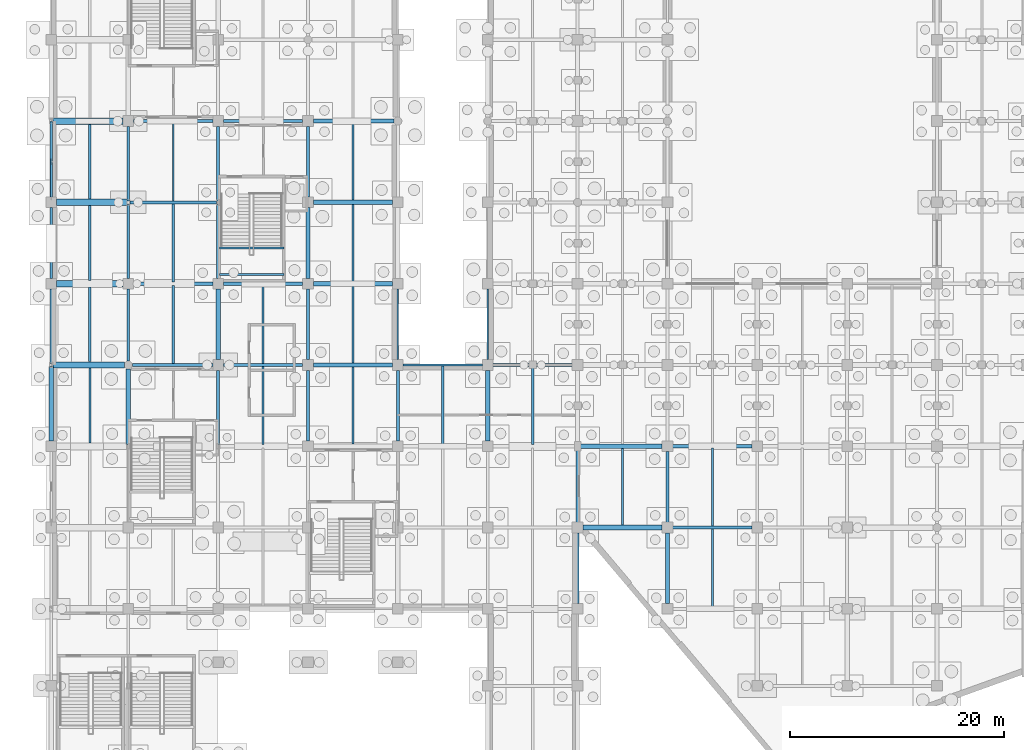
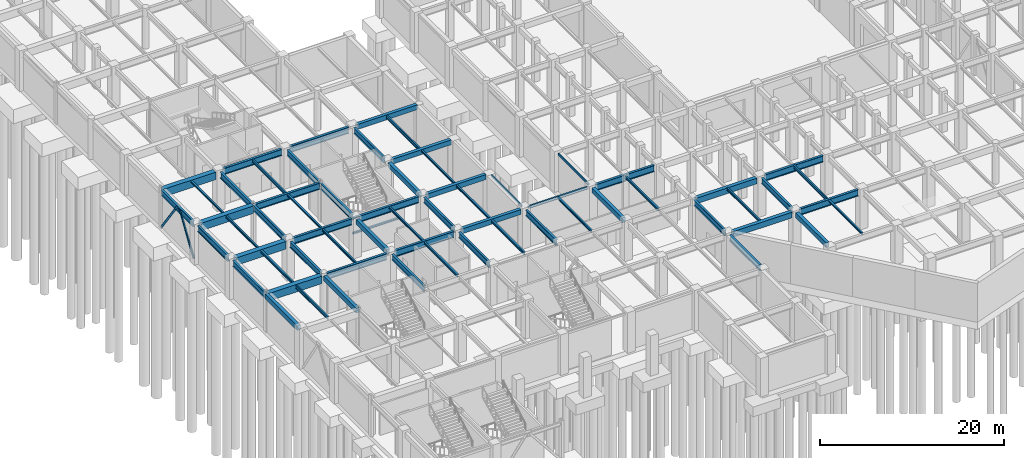
# One storey, part 23 of 52: 65 beams, 2 members.
"""IFC4 building model written with IfcOpenShell, lengths in metres."""

import ifcopenshell
import ifcopenshell.guid

model = None  # the IFC model being written
_history = None  # IfcOwnerHistory: only IFC2X3 demands one
_inside = {}  # id of a spatial element -> (the spatial element, [elements in it])
_under = {}  # id of a project, library or spatial element -> (it, [spatial elements below it])
_declared = {}  # id of a project -> (the project, [libraries it declares])
_typed = {}  # id of a type object -> (the type object, [elements of that type])
_made_of = {}  # id of a material, layer set ... -> (it, [elements and type objects made of it])


def new_model(schema):
    """Start an empty IFC model of exactly this schema.

    Asked for "IFC4X3", IfcOpenShell would pick the latest addendum, in which some entities
    have other attributes; the version numbers below select the first issue.
    IFC2X3 requires an IfcOwnerHistory on every rooted entity: one is made here for all.
    """
    global model, _history
    if schema == "IFC4X3":
        model = ifcopenshell.file(schema_version=(4, 3, 0, 0))
    else:
        model = ifcopenshell.file(schema=schema)
    _inside.clear()
    _under.clear()
    _declared.clear()
    _typed.clear()
    _made_of.clear()
    _history = None
    if model.schema == "IFC2X3":
        org = make("IfcOrganization", Name="unknown")
        user = make(
            "IfcPersonAndOrganization",
            ThePerson=make("IfcPerson", FamilyName="unknown"),
            TheOrganization=org,
        )
        app = make(
            "IfcApplication",
            ApplicationDeveloper=org,
            Version="unknown",
            ApplicationFullName="unknown",
            ApplicationIdentifier="unknown",
        )
        _history = make(
            "IfcOwnerHistory",
            OwningUser=user,
            OwningApplication=app,
            ChangeAction="ADDED",
            CreationDate=0,
        )
    return model


def make(cls, **values):
    """One entity of the class cls with the attributes given. An attribute that is None is left unset."""
    return model.create_entity(
        cls, **{name: value for name, value in values.items() if value is not None}
    )


def rooted(cls, **values):
    """An entity with a GlobalId (a new one), such as an element, a storey or a relation."""
    return make(cls, GlobalId=ifcopenshell.guid.new(), OwnerHistory=_history, **values)


def si_unit(unit_type, name, prefix=None):
    """IfcSIUnit, for example si_unit("LENGTHUNIT", "METRE", prefix="MILLI")."""
    return make("IfcSIUnit", UnitType=unit_type, Prefix=prefix, Name=name)


def assignment(units):
    """IfcUnitAssignment: the units of a project."""
    return None if units is None else make("IfcUnitAssignment", Units=units)


def point(xyz):
    """IfcCartesianPoint."""
    return None if xyz is None else make("IfcCartesianPoint", Coordinates=xyz)


def direction(xyz):
    """IfcDirection."""
    return None if xyz is None else make("IfcDirection", DirectionRatios=xyz)


def frame(location, z_axis=None, x_axis=None):
    """IfcAxis2Placement3D, a coordinate frame: its origin and axes. An axis left out is left unset."""
    return make(
        "IfcAxis2Placement3D",
        Location=point(location),
        Axis=direction(z_axis),
        RefDirection=direction(x_axis),
    )


def frame_2d(location, x_axis=None):
    """IfcAxis2Placement2D, a coordinate frame in the plane: its origin and x axis."""
    return make(
        "IfcAxis2Placement2D", Location=point(location), RefDirection=direction(x_axis)
    )


def origin():
    """The frame at (0, 0, 0) with its axes left unset."""
    return frame((0.0, 0.0, 0.0))


def origin_2d():
    """The frame at (0, 0) in the plane with its x axis left unset."""
    return frame_2d((0.0, 0.0))


def place(relative_to, where):
    """IfcLocalPlacement: puts the frame where relative to a parent placement (None: the world)."""
    return make(
        "IfcLocalPlacement", PlacementRelTo=relative_to, RelativePlacement=where
    )


def context(
    kind, dimensions, precision=None, world=None, true_north=None, identifier=None
):
    """IfcGeometricRepresentationContext, for example the 3D "Model" context."""
    return make(
        "IfcGeometricRepresentationContext",
        ContextIdentifier=identifier,
        ContextType=kind,
        CoordinateSpaceDimension=dimensions,
        Precision=precision,
        WorldCoordinateSystem=world,
        TrueNorth=true_north,
    )


def subcontext(parent, identifier, kind, view, scale=None):
    """IfcGeometricRepresentationSubContext, for example "Body" below "Model"."""
    return make(
        "IfcGeometricRepresentationSubContext",
        ContextIdentifier=identifier,
        ContextType=kind,
        ParentContext=parent,
        TargetScale=scale,
        TargetView=view,
    )


def project(units=None, contexts=None):
    """IfcProject with its units and contexts."""
    return rooted(
        "IfcProject",
        Name="project",
        RepresentationContexts=contexts,
        UnitsInContext=assignment(units),
    )


def spatial(cls, under=None, at=None, **own):
    """A site, building, storey or space (cls), placed at a placement, below another one or the project."""
    s = rooted(cls, ObjectPlacement=at, **own)
    if under is not None:
        _under.setdefault(under.id(), (under, []))[1].append(s)
    return s


def profile(cls, at=None, kind="AREA", **sizes):
    """A parametric profile (cls). Its sizes go by their IFC names, for example OverallWidth=200.0."""
    return make(cls, ProfileType=kind, Position=at, **sizes)


def rectangle(**sizes):
    """IfcRectangleProfileDef."""
    return profile("IfcRectangleProfileDef", **sizes)


def hollow_rectangle(**sizes):
    """IfcRectangleHollowProfileDef."""
    return profile("IfcRectangleHollowProfileDef", **sizes)


def hollow_circle(**sizes):
    """IfcCircleHollowProfileDef."""
    return profile("IfcCircleHollowProfileDef", **sizes)


def i_section(**sizes):
    """IfcIShapeProfileDef."""
    return profile("IfcIShapeProfileDef", **sizes)


def extrude(swept, where, along, depth):
    """IfcExtrudedAreaSolid: the profile swept, set in the frame where, extruded along a direction by depth."""
    return make(
        "IfcExtrudedAreaSolid",
        SweptArea=swept,
        Position=where,
        ExtrudedDirection=direction(along),
        Depth=depth,
    )


def shape(context_of_items, identifier, shape_type, items):
    """IfcShapeRepresentation: the items that make up one representation, for example the "Body"."""
    return make(
        "IfcShapeRepresentation",
        ContextOfItems=context_of_items,
        RepresentationIdentifier=identifier,
        RepresentationType=shape_type,
        Items=items,
    )


def material(Name=None, Category=None):
    """IfcMaterial."""
    return make("IfcMaterial", Name=Name, Category=Category)


def material_profile(
    of_material, cross_section, Name=None, Category=None, Priority=None
):
    """IfcMaterialProfile: a cross section and its material."""
    return make(
        "IfcMaterialProfile",
        Name=Name,
        Material=of_material,
        Profile=cross_section,
        Priority=Priority,
        Category=Category,
    )


def profile_set(profiles, Name=None, composite=None):
    """IfcMaterialProfileSet."""
    return make(
        "IfcMaterialProfileSet",
        Name=Name,
        MaterialProfiles=profiles,
        CompositeProfile=composite,
    )


def made_of(thing, what):
    """Note that an element or type object is made of a material, layer set ...; save() writes the relation."""
    if what is not None:
        _made_of.setdefault(what.id(), (what, []))[1].append(thing)
    return thing


def type_object(cls, material=None, **own):
    """A type object (cls), such as IfcWallType, which elements share."""
    return made_of(rooted(cls, **own), material)


def element(
    cls,
    number,
    at=None,
    inside=None,
    cuts=None,
    type_object=None,
    material=None,
    context=None,
    identifier="Body",
    shape_type=None,
    held_by="IfcProductDefinitionShape",
    body=None,
    shapes=None,
    **own,
):
    """One element of the class cls, such as IfcWall. Its Tag is "e" and its number.

    at: its placement. inside: the storey or other place that contains it. cuts: it is an
    opening in that element (IfcRelVoidsElement). A single representation is given by context,
    identifier, shape_type and body (its items); several are given by shapes. held_by: the class
    of the entity that holds the representations. save() writes the other relations.
    """
    e = rooted(cls, Tag="e%d" % number, ObjectPlacement=at, **own)
    if body is not None:
        shapes = [shape(context, identifier, shape_type, body)]
    if shapes is not None:
        e.Representation = make(held_by, Representations=shapes)
    if inside is not None:
        _inside.setdefault(inside.id(), (inside, []))[1].append(e)
    if cuts is not None:
        rooted(
            "IfcRelVoidsElement", RelatingBuildingElement=cuts, RelatedOpeningElement=e
        )
    if type_object is not None:
        _typed.setdefault(type_object.id(), (type_object, []))[1].append(e)
    return made_of(e, material)


def aggregate(whole, parts):
    """IfcRelAggregates: a whole, such as a stair, and the parts it consists of."""
    return rooted("IfcRelAggregates", RelatingObject=whole, RelatedObjects=parts)


def save(model, path):
    """Write the relations noted so far, then the file.

    IfcRelAggregates (storeys below a building ...), IfcRelContainedInSpatialStructure (elements
    in a storey), IfcRelDefinesByType, IfcRelAssociatesMaterial and IfcRelDeclares: one each for
    every whole, place, type object, material and project.
    """
    for whole, parts in _under.values():
        aggregate(whole, parts)
    for where, things in _inside.values():
        rooted(
            "IfcRelContainedInSpatialStructure",
            RelatedElements=things,
            RelatingStructure=where,
        )
    for kind, things in _typed.values():
        rooted("IfcRelDefinesByType", RelatedObjects=things, RelatingType=kind)
    for what, things in _made_of.values():
        rooted("IfcRelAssociatesMaterial", RelatedObjects=things, RelatingMaterial=what)
    for by, libraries in _declared.values():
        rooted("IfcRelDeclares", RelatingContext=by, RelatedDefinitions=libraries)
    model.write(path)


model = new_model("IFC4")

# Units and contexts
model_context = context("Model", 3, precision=1e-05, world=origin(), true_north=direction((0.0, 1.0)))
body_context = subcontext(model_context, "Body", "Model", "MODEL_VIEW")
ifc_project = project(units=[si_unit("LENGTHUNIT", "METRE"), si_unit("AREAUNIT", "SQUARE_METRE"), si_unit("VOLUMEUNIT", "CUBIC_METRE"), si_unit("PLANEANGLEUNIT", "RADIAN"), si_unit("MASSUNIT", "GRAM", prefix="KILO")], contexts=[model_context])

# Site, building, storey
site_placement = place(None, origin())
site = spatial("IfcSite", under=ifc_project, at=site_placement, CompositionType="ELEMENT")
building_placement = place(site_placement, origin())
building = spatial("IfcBuilding", under=site, at=building_placement, Name="Xicomal Pleat Aquarium", CompositionType="ELEMENT")
storey_placement = place(building_placement, frame((0.0, 0.0, -5.39990234375)))
storey = spatial("IfcBuildingStorey", under=building, at=storey_placement, Name="B1", CompositionType="ELEMENT", Elevation=-5.39990234375)

# Beams
ifc_material_1 = material(Name="Concrete C40/50", Category="concrete")
ifc_material_profile_1 = material_profile(ifc_material_1, rectangle(XDim=0.39990234375, YDim=0.64990234375, at=origin_2d()), Name="RC 400x650")
ifc_profile_set_1 = profile_set([ifc_material_profile_1], Name="Concrete C40/50")
beam_type_1 = type_object("IfcBeamType", Name="BM-RC-400x650", PredefinedType="LINTEL", material=ifc_profile_set_1)
for number, where, z_axis, x_axis, name in (
    (1, (27.4951171875, 38.0, 4.794921875), (1.0, 0.0, 0.0), (0.0, 1.0, 0.0), "B1 framing beam FGX-B1-04-05-F"),
    (2, (27.4951171875, 45.60009765625, 4.81494140625), (1.0, 0.0, 0.0), (0.0, 1.0, 0.0), "B1 framing beam FGX-B1-04-05-G"),
    (3, (27.4951171875, 53.199951171875, 4.81494140625), (1.0, 0.0, 0.0), (0.0, 1.0, 0.0), "B1 framing beam FGX-B1-04-05-H"),
):
    element("IfcBeam", number, at=place(storey_placement, frame(where, z_axis=z_axis, x_axis=x_axis)), inside=storey, type_object=beam_type_1, Name=name, PredefinedType="LINTEL", context=body_context, shape_type="SweptSolid", body=[
        extrude(rectangle(XDim=0.39990234375, YDim=0.64990234375, at=origin_2d()), origin(), (0.0, 0.0, 1.0), 7.409912109375),
    ])
beam_1_placement = place(storey_placement, frame((27.4951171875, 60.800048828125, 4.81494140625), z_axis=(1.0, 0.0, 0.0), x_axis=(0.0, 1.0, 0.0)))
element("IfcBeam", 4, at=beam_1_placement, inside=storey, type_object=beam_type_1, Name="B1 framing beam FGX-B1-04-05-J", PredefinedType="LINTEL", context=body_context, shape_type="SweptSolid", body=[
    extrude(rectangle(XDim=0.39990234375, YDim=0.64990234375, at=origin_2d()), origin(), (0.0, 0.0, 1.0), 7.534912109375),
])
beam_2_placement = place(storey_placement, frame((3.0, 30.89501953125, 4.794921875), z_axis=(0.0, 1.0, 0.0), x_axis=(-1.0, 0.0, 0.0)))
element("IfcBeam", 5, at=beam_2_placement, inside=storey, type_object=beam_type_1, Name="B1 framing beam FGY-B1-01-E-F", PredefinedType="LINTEL", context=body_context, shape_type="SweptSolid", body=[
    extrude(rectangle(XDim=0.39990234375, YDim=0.64990234375, at=origin_2d()), origin(), (0.0, 0.0, 1.0), 6.9599609375),
])
beam_3_placement = place(storey_placement, frame((10.199951171875, 30.544921875, 4.794921875), z_axis=(0.0, 1.0, 0.0), x_axis=(-1.0, 0.0, 0.0)))
element("IfcBeam", 6, at=beam_3_placement, inside=storey, type_object=beam_type_1, Name="B1 framing beam FGY-B1-02-E-F", PredefinedType="LINTEL", context=body_context, shape_type="SweptSolid", body=[
    extrude(rectangle(XDim=0.39990234375, YDim=0.64990234375, at=origin_2d()), origin(), (0.0, 0.0, 1.0), 7.0849609375),
])
beam_4_placement = place(storey_placement, frame((18.60009765625, 38.4951171875, 4.81494140625), z_axis=(0.0, 1.0, 0.0), x_axis=(-1.0, 0.0, 0.0)))
element("IfcBeam", 7, at=beam_4_placement, inside=storey, type_object=beam_type_1, Name="B1 framing beam FGY-B1-03-F-G", PredefinedType="LINTEL", context=body_context, shape_type="SweptSolid", body=[
    extrude(rectangle(XDim=0.39990234375, YDim=0.64990234375, at=origin_2d()), origin(), (0.0, 0.0, 1.0), 6.60986328125),
])
beam_5_placement = place(storey_placement, frame((27.0, 46.094970703125, 4.81494140625), z_axis=(0.0, 1.0, 0.0), x_axis=(-1.0, 0.0, 0.0)))
element("IfcBeam", 8, at=beam_5_placement, inside=storey, type_object=beam_type_1, Name="B1 framing beam FGY-B1-04-G-H", PredefinedType="LINTEL", context=body_context, shape_type="SweptSolid", body=[
    extrude(rectangle(XDim=0.39990234375, YDim=0.64990234375, at=origin_2d()), origin(), (0.0, 0.0, 1.0), 6.610107421875),
])
for number, where, z_axis, x_axis, name in (
    (9, (43.800048828125, 30.89501953125, 4.794921875), (0.0, 1.0, 0.0), (-1.0, 0.0, 0.0), "B1 framing beam FGY-B1-06-E-F"),
    (10, (60.60009765625, 15.695068359375, 4.8349609375), (0.0, 1.0, 0.0), (-1.0, 0.0, 0.0), "B1 framing beam FGY-B1-08-C-D"),
):
    element("IfcBeam", number, at=place(storey_placement, frame(where, z_axis=z_axis, x_axis=x_axis)), inside=storey, type_object=beam_type_1, Name=name, PredefinedType="LINTEL", context=body_context, shape_type="SweptSolid", body=[
        extrude(rectangle(XDim=0.39990234375, YDim=0.64990234375, at=origin_2d()), origin(), (0.0, 0.0, 1.0), 6.60986328125),
    ])
ifc_material_2 = material(Name="Concrete C40/50", Category="concrete")
ifc_material_profile_2 = material_profile(ifc_material_2, rectangle(XDim=0.449951171875, YDim=0.75, at=origin_2d()), Name="RC 450x750")
ifc_profile_set_2 = profile_set([ifc_material_profile_2], Name="Concrete C40/50")
beam_type_2 = type_object("IfcBeamType", Name="BM-RC-450x750", PredefinedType="BEAM", material=ifc_profile_set_2)
beam_6_placement = place(storey_placement, frame((52.695068359375, 22.800048828125, 4.784912109375), z_axis=(1.0, 0.0, 0.0), x_axis=(0.0, 1.0, 0.0)))
element("IfcBeam", 11, at=beam_6_placement, inside=storey, type_object=beam_type_2, Name="B1 framing beam FGX-B1-07-08-D", PredefinedType="BEAM", context=body_context, shape_type="SweptSolid", body=[
    extrude(rectangle(XDim=0.449951171875, YDim=0.75, at=origin_2d()), origin(), (0.0, 0.0, 1.0), 7.409912109375),
])
beam_7_placement = place(storey_placement, frame((52.4951171875, 30.39990234375, 4.699951171875), z_axis=(1.0, 0.0, 0.0), x_axis=(0.0, 1.0, 0.0)))
element("IfcBeam", 12, at=beam_7_placement, inside=storey, type_object=beam_type_2, Name="B1 framing beam FGX-B1-07-08-E", PredefinedType="BEAM", context=body_context, shape_type="SweptSolid", body=[
    extrude(rectangle(XDim=0.449951171875, YDim=0.75, at=origin_2d()), origin(), (0.0, 0.0, 1.0), 7.60986328125),
])
ifc_material_3 = material(Name="Concrete C40/50", Category="concrete")
ifc_material_profile_3 = material_profile(ifc_material_3, rectangle(XDim=0.60009765625, YDim=1.0, at=origin_2d()), Name="RC 600x1000")
ifc_profile_set_3 = profile_set([ifc_material_profile_3], Name="Concrete C40/50")
beam_type_3 = type_object("IfcBeamType", Name="BM-RC-600x1000", PredefinedType="T_BEAM", material=ifc_profile_set_3)
beam_8_placement = place(storey_placement, frame((3.14501953125, 38.0, 4.619873046875), z_axis=(1.0, 0.0, 0.0), x_axis=(0.0, 1.0, 0.0)))
element("IfcBeam", 13, at=beam_8_placement, inside=storey, type_object=beam_type_3, Name="B1 framing beam FGX-B1-01-02-F", PredefinedType="T_BEAM", context=body_context, shape_type="SweptSolid", body=[
    extrude(rectangle(XDim=0.60009765625, YDim=1.0, at=origin_2d()), origin(), (0.0, 0.0, 1.0), 6.68505859375),
])
beam_9_placement = place(storey_placement, frame((3.4951171875, 45.60009765625, 4.639892578125), z_axis=(1.0, 0.0, 0.0), x_axis=(0.0, 1.0, 0.0)))
element("IfcBeam", 14, at=beam_9_placement, inside=storey, type_object=beam_type_3, Name="B1 framing beam FGX-B1-01-02-G", PredefinedType="T_BEAM", context=body_context, shape_type="SweptSolid", body=[
    extrude(rectangle(XDim=0.60009765625, YDim=1.0, at=origin_2d()), origin(), (0.0, 0.0, 1.0), 6.2099609375),
])
beam_10_placement = place(storey_placement, frame((3.4951171875, 53.199951171875, 4.639892578125), z_axis=(1.0, 0.0, 0.0), x_axis=(0.0, 1.0, 0.0)))
element("IfcBeam", 15, at=beam_10_placement, inside=storey, type_object=beam_type_3, Name="B1 framing beam FGX-B1-01-02-H", PredefinedType="T_BEAM", context=body_context, shape_type="SweptSolid", body=[
    extrude(rectangle(XDim=0.60009765625, YDim=1.0, at=origin_2d()), origin(), (0.0, 0.0, 1.0), 6.559814453125),
])
beam_11_placement = place(storey_placement, frame((3.14501953125, 60.800048828125, 4.639892578125), z_axis=(1.0, 0.0, 0.0), x_axis=(0.0, 1.0, 0.0)))
element("IfcBeam", 16, at=beam_11_placement, inside=storey, type_object=beam_type_3, Name="B1 framing beam FGX-B1-01-02-J", PredefinedType="T_BEAM", context=body_context, shape_type="SweptSolid", body=[
    extrude(rectangle(XDim=0.60009765625, YDim=1.0, at=origin_2d()), origin(), (0.0, 0.0, 1.0), 6.56005859375),
])
ifc_material_4 = material(Name="Structural steel A992 Gr 50", Category="steel")
ifc_material_profile_4 = material_profile(ifc_material_4, i_section(OverallWidth=0.201904296875, OverallDepth=0.2470703125, WebThickness=0.00732421875, FlangeThickness=0.010986328125, at=origin_2d()), Name="IR 250x49")
ifc_profile_set_4 = profile_set([ifc_material_profile_4], Name="Structural steel A992 Gr 50")
beam_type_4 = type_object("IfcBeamType", Name="BM-STL-IR250", PredefinedType="JOIST", material=ifc_profile_set_4)
beam_12_placement = place(storey_placement, frame((6.60009765625, 53.5029296875, 5.016357421875), z_axis=(0.0, 1.0, 0.0), x_axis=(-1.0, 0.0, 0.0)))
element("IfcBeam", 17, at=beam_12_placement, inside=storey, type_object=beam_type_4, Name="B1 framing beam FBJ-B1-01-H-1", PredefinedType="JOIST", context=body_context, shape_type="SweptSolid", body=[
    extrude(i_section(OverallWidth=0.201904296875, OverallDepth=0.2470703125, WebThickness=0.00732421875, FlangeThickness=0.010986328125, at=origin_2d()), origin(), (0.0, 0.0, 1.0), 6.994140625),
])
beam_13_placement = place(storey_placement, frame((14.39990234375, 45.75, 5.016357421875), z_axis=(0.0, 1.0, 0.0), x_axis=(-1.0, 0.0, 0.0)))
element("IfcBeam", 18, at=beam_13_placement, inside=storey, type_object=beam_type_4, Name="B1 framing beam FBJ-B1-02-G-1", PredefinedType="JOIST", context=body_context, shape_type="SweptSolid", body=[
    extrude(i_section(OverallWidth=0.201904296875, OverallDepth=0.2470703125, WebThickness=0.00732421875, FlangeThickness=0.010986328125, at=origin_2d()), origin(), (0.0, 0.0, 1.0), 7.300048828125),
])
beam_14_placement = place(storey_placement, frame((31.199951171875, 45.802978515625, 5.016357421875), z_axis=(0.0, 1.0, 0.0), x_axis=(-1.0, 0.0, 0.0)))
element("IfcBeam", 19, at=beam_14_placement, inside=storey, type_object=beam_type_4, Name="B1 framing beam FBJ-B1-04-G-1", PredefinedType="JOIST", context=body_context, shape_type="SweptSolid", body=[
    extrude(i_section(OverallWidth=0.201904296875, OverallDepth=0.2470703125, WebThickness=0.00732421875, FlangeThickness=0.010986328125, at=origin_2d()), origin(), (0.0, 0.0, 1.0), 7.194091796875),
])
beam_15_placement = place(storey_placement, frame((64.800048828125, 15.35009765625, 5.036376953125), z_axis=(0.0, 1.0, 0.0), x_axis=(-1.0, 0.0, 0.0)))
element("IfcBeam", 20, at=beam_15_placement, inside=storey, type_object=beam_type_4, Name="B1 framing beam FBJ-B1-08-C-1", PredefinedType="JOIST", context=body_context, shape_type="SweptSolid", body=[
    extrude(i_section(OverallWidth=0.201904296875, OverallDepth=0.2470703125, WebThickness=0.00732421875, FlangeThickness=0.010986328125, at=origin_2d()), origin(), (0.0, 0.0, 1.0), 7.2998046875),
])
for number, where, z_axis, x_axis, name in (
    (21, (18.719970703125, 46.449951171875, 2.37890625), (1.0, 0.0, 0.0), (0.0, 1.0, 0.0), "ST-04-B1 half-landing bearer beam 1"),
    (22, (18.719970703125, 48.929931640625, 2.37890625), (1.0, 0.0, 0.0), (0.0, 1.0, 0.0), "ST-04-B1 half-landing bearer beam 2"),
):
    element("IfcBeam", number, at=place(storey_placement, frame(where, z_axis=z_axis, x_axis=x_axis)), inside=storey, type_object=beam_type_4, Name=name, PredefinedType="JOIST", context=body_context, shape_type="SweptSolid", body=[
        extrude(i_section(OverallWidth=0.201904296875, OverallDepth=0.2470703125, WebThickness=0.00732421875, FlangeThickness=0.010986328125, at=origin_2d()), origin(), (0.0, 0.0, 1.0), 6.02001953125),
    ])
ifc_material_5 = material(Name="Structural steel A992 Gr 50", Category="steel")
ifc_material_profile_5 = material_profile(ifc_material_5, i_section(OverallWidth=0.202880859375, OverallDepth=0.302978515625, WebThickness=0.007568359375, FlangeThickness=0.01318359375, at=origin_2d()), Name="IR 310x60")
ifc_profile_set_5 = profile_set([ifc_material_profile_5], Name="Structural steel A992 Gr 50")
beam_type_5 = type_object("IfcBeamType", Name="BM-STL-IR310", PredefinedType="JOIST", material=ifc_profile_set_5)
beam_16_placement = place(storey_placement, frame((6.60009765625, 45.903076171875, 4.98828125), z_axis=(0.0, 1.0, 0.0), x_axis=(-1.0, 0.0, 0.0)))
element("IfcBeam", 23, at=beam_16_placement, inside=storey, type_object=beam_type_5, Name="B1 framing beam FBJ-B1-01-G-1", PredefinedType="JOIST", context=body_context, shape_type="SweptSolid", body=[
    extrude(i_section(OverallWidth=0.202880859375, OverallDepth=0.302978515625, WebThickness=0.007568359375, FlangeThickness=0.01318359375, at=origin_2d()), origin(), (0.0, 0.0, 1.0), 6.993896484375),
])
for number, where, z_axis, x_axis, name in (
    (24, (14.39990234375, 38.14990234375, 4.98828125), (0.0, 1.0, 0.0), (-1.0, 0.0, 0.0), "B1 framing beam FBJ-B1-02-F-1"),
    (25, (22.800048828125, 38.14990234375, 4.98828125), (0.0, 1.0, 0.0), (-1.0, 0.0, 0.0), "B1 framing beam FBJ-B1-03-F-1"),
):
    element("IfcBeam", number, at=place(storey_placement, frame(where, z_axis=z_axis, x_axis=x_axis)), inside=storey, type_object=beam_type_5, Name=name, PredefinedType="JOIST", context=body_context, shape_type="SweptSolid", body=[
        extrude(i_section(OverallWidth=0.202880859375, OverallDepth=0.302978515625, WebThickness=0.007568359375, FlangeThickness=0.01318359375, at=origin_2d()), origin(), (0.0, 0.0, 1.0), 7.300048828125),
    ])
beam_17_placement = place(storey_placement, frame((31.199951171875, 38.202880859375, 4.98828125), z_axis=(0.0, 1.0, 0.0), x_axis=(-1.0, 0.0, 0.0)))
element("IfcBeam", 26, at=beam_17_placement, inside=storey, type_object=beam_type_5, Name="B1 framing beam FBJ-B1-04-F-1", PredefinedType="JOIST", context=body_context, shape_type="SweptSolid", body=[
    extrude(i_section(OverallWidth=0.202880859375, OverallDepth=0.302978515625, WebThickness=0.007568359375, FlangeThickness=0.01318359375, at=origin_2d()), origin(), (0.0, 0.0, 1.0), 7.194091796875),
])
beam_18_placement = place(storey_placement, frame((39.60009765625, 30.550048828125, 4.968505859375), z_axis=(0.0, 1.0, 0.0), x_axis=(-1.0, 0.0, 0.0)))
element("IfcBeam", 27, at=beam_18_placement, inside=storey, type_object=beam_type_5, Name="B1 framing beam FBJ-B1-05-E-1", PredefinedType="JOIST", context=body_context, shape_type="SweptSolid", body=[
    extrude(i_section(OverallWidth=0.202880859375, OverallDepth=0.302978515625, WebThickness=0.007568359375, FlangeThickness=0.01318359375, at=origin_2d()), origin(), (0.0, 0.0, 1.0), 7.346923828125),
])
ifc_material_6 = material(Name="Structural steel A992 Gr 50", Category="steel")
ifc_material_profile_6 = material_profile(ifc_material_6, i_section(OverallWidth=0.205078125, OverallDepth=0.35400390625, WebThickness=0.009521484375, FlangeThickness=0.016845703125, at=origin_2d()), Name="IR 360x79")
ifc_profile_set_6 = profile_set([ifc_material_profile_6], Name="Structural steel A992 Gr 50")
beam_type_6 = type_object("IfcBeamType", Name="BM-STL-IR360", PredefinedType="JOIST", material=ifc_profile_set_6)
beam_19_placement = place(storey_placement, frame((6.60009765625, 38.302978515625, 4.962890625), z_axis=(0.0, 1.0, 0.0), x_axis=(-1.0, 0.0, 0.0)))
element("IfcBeam", 28, at=beam_19_placement, inside=storey, type_object=beam_type_6, Name="B1 framing beam FBJ-B1-01-F-1", PredefinedType="JOIST", context=body_context, shape_type="SweptSolid", body=[
    extrude(i_section(OverallWidth=0.205078125, OverallDepth=0.35400390625, WebThickness=0.009521484375, FlangeThickness=0.016845703125, at=origin_2d()), origin(), (0.0, 0.0, 1.0), 6.994140625),
])
beam_20_placement = place(storey_placement, frame((22.800048828125, 30.550048828125, 4.94287109375), z_axis=(0.0, 1.0, 0.0), x_axis=(-1.0, 0.0, 0.0)))
element("IfcBeam", 29, at=beam_20_placement, inside=storey, type_object=beam_type_6, Name="B1 framing beam FBJ-B1-03-E-1", PredefinedType="JOIST", context=body_context, shape_type="SweptSolid", body=[
    extrude(i_section(OverallWidth=0.205078125, OverallDepth=0.35400390625, WebThickness=0.009521484375, FlangeThickness=0.016845703125, at=origin_2d()), origin(), (0.0, 0.0, 1.0), 7.300048828125),
])
beam_21_placement = place(storey_placement, frame((31.199951171875, 30.60302734375, 4.94287109375), z_axis=(0.0, 1.0, 0.0), x_axis=(-1.0, 0.0, 0.0)))
element("IfcBeam", 30, at=beam_21_placement, inside=storey, type_object=beam_type_6, Name="B1 framing beam FBJ-B1-04-E-1", PredefinedType="JOIST", context=body_context, shape_type="SweptSolid", body=[
    extrude(i_section(OverallWidth=0.205078125, OverallDepth=0.35400390625, WebThickness=0.009521484375, FlangeThickness=0.016845703125, at=origin_2d()), origin(), (0.0, 0.0, 1.0), 7.194091796875),
])
beam_22_placement = place(storey_placement, frame((48.0, 30.550048828125, 4.89794921875), z_axis=(0.0, 1.0, 0.0), x_axis=(-1.0, 0.0, 0.0)))
element("IfcBeam", 31, at=beam_22_placement, inside=storey, type_object=beam_type_6, Name="B1 framing beam FBJ-B1-06-E-1", PredefinedType="JOIST", context=body_context, shape_type="SweptSolid", body=[
    extrude(i_section(OverallWidth=0.205078125, OverallDepth=0.35400390625, WebThickness=0.009521484375, FlangeThickness=0.016845703125, at=origin_2d()), origin(), (0.0, 0.0, 1.0), 7.300048828125),
])
beam_23_placement = place(storey_placement, frame((56.39990234375, 23.028076171875, 4.98291015625), z_axis=(0.0, 1.0, 0.0), x_axis=(-1.0, 0.0, 0.0)))
element("IfcBeam", 32, at=beam_23_placement, inside=storey, type_object=beam_type_6, Name="B1 framing beam FBJ-B1-07-D-1", PredefinedType="JOIST", context=body_context, shape_type="SweptSolid", body=[
    extrude(i_section(OverallWidth=0.205078125, OverallDepth=0.35400390625, WebThickness=0.009521484375, FlangeThickness=0.016845703125, at=origin_2d()), origin(), (0.0, 0.0, 1.0), 7.14404296875),
])
ifc_material_7 = material(Name="Structural steel A992 Gr 50", Category="steel")
ifc_material_profile_7 = material_profile(ifc_material_7, i_section(OverallWidth=0.180908203125, OverallDepth=0.4169921875, WebThickness=0.010986328125, FlangeThickness=0.018310546875, at=origin_2d()), Name="IR 410x85")
ifc_profile_set_7 = profile_set([ifc_material_profile_7], Name="Structural steel A992 Gr 50")
beam_type_7 = type_object("IfcBeamType", Name="BM-STL-IR410", PredefinedType="JOIST", material=ifc_profile_set_7)
beam_24_placement = place(storey_placement, frame((6.60009765625, 30.702880859375, 4.911376953125), z_axis=(0.0, 1.0, 0.0), x_axis=(-1.0, 0.0, 0.0)))
element("IfcBeam", 33, at=beam_24_placement, inside=storey, type_object=beam_type_7, Name="B1 framing beam FBJ-B1-01-E-1", PredefinedType="JOIST", context=body_context, shape_type="SweptSolid", body=[
    extrude(i_section(OverallWidth=0.180908203125, OverallDepth=0.4169921875, WebThickness=0.010986328125, FlangeThickness=0.018310546875, at=origin_2d()), origin(), (0.0, 0.0, 1.0), 6.994140625),
])
beam_25_placement = place(storey_placement, frame((14.39990234375, 53.35009765625, 4.931396484375), z_axis=(0.0, 1.0, 0.0), x_axis=(-1.0, 0.0, 0.0)))
element("IfcBeam", 34, at=beam_25_placement, inside=storey, type_object=beam_type_7, Name="B1 framing beam FBJ-B1-02-H-1", PredefinedType="JOIST", context=body_context, shape_type="SweptSolid", body=[
    extrude(i_section(OverallWidth=0.180908203125, OverallDepth=0.4169921875, WebThickness=0.010986328125, FlangeThickness=0.018310546875, at=origin_2d()), origin(), (0.0, 0.0, 1.0), 7.2998046875),
])
beam_26_placement = place(storey_placement, frame((31.199951171875, 53.403076171875, 4.931396484375), z_axis=(0.0, 1.0, 0.0), x_axis=(-1.0, 0.0, 0.0)))
element("IfcBeam", 35, at=beam_26_placement, inside=storey, type_object=beam_type_7, Name="B1 framing beam FBJ-B1-04-H-1", PredefinedType="JOIST", context=body_context, shape_type="SweptSolid", body=[
    extrude(i_section(OverallWidth=0.180908203125, OverallDepth=0.4169921875, WebThickness=0.010986328125, FlangeThickness=0.018310546875, at=origin_2d()), origin(), (0.0, 0.0, 1.0), 7.19384765625),
])
beam_27_placement = place(storey_placement, frame((64.800048828125, 22.949951171875, 4.951416015625), z_axis=(0.0, 1.0, 0.0), x_axis=(-1.0, 0.0, 0.0)))
element("IfcBeam", 36, at=beam_27_placement, inside=storey, type_object=beam_type_7, Name="B1 framing beam FBJ-B1-08-D-1", PredefinedType="JOIST", context=body_context, shape_type="SweptSolid", body=[
    extrude(i_section(OverallWidth=0.180908203125, OverallDepth=0.4169921875, WebThickness=0.010986328125, FlangeThickness=0.018310546875, at=origin_2d()), origin(), (0.0, 0.0, 1.0), 7.300048828125),
])
ifc_material_8 = material(Name="Structural steel A992 Gr 50", Category="steel")
ifc_material_profile_8 = material_profile(ifc_material_8, i_section(OverallWidth=0.26806640625, OverallDepth=0.77001953125, WebThickness=0.015625, FlangeThickness=0.025390625, at=origin_2d()), Name="IR 760x196")
ifc_profile_set_8 = profile_set([ifc_material_profile_8], Name="Structural steel A992 Gr 50")
beam_type_8 = type_object("IfcBeamType", Name="BM-STL-IR760", PredefinedType="BEAM", material=ifc_profile_set_8)
beam_28_placement = place(storey_placement, frame((3.0, 38.14501953125, 4.7548828125), z_axis=(0.0, 1.0, 0.0), x_axis=(-1.0, 0.0, 0.0)))
element("IfcBeam", 37, at=beam_28_placement, inside=storey, type_object=beam_type_8, Name="B1 framing beam FGY-B1-01-F-G", PredefinedType="BEAM", context=body_context, shape_type="SweptSolid", body=[
    extrude(i_section(OverallWidth=0.26806640625, OverallDepth=0.77001953125, WebThickness=0.015625, FlangeThickness=0.025390625, at=origin_2d()), origin(), (0.0, 0.0, 1.0), 6.9599609375),
])
beam_29_placement = place(storey_placement, frame((3.0, 46.094970703125, 4.7548828125), z_axis=(0.0, 1.0, 0.0), x_axis=(-1.0, 0.0, 0.0)))
element("IfcBeam", 38, at=beam_29_placement, inside=storey, type_object=beam_type_8, Name="B1 framing beam FGY-B1-01-G-H", PredefinedType="BEAM", context=body_context, shape_type="SweptSolid", body=[
    extrude(i_section(OverallWidth=0.26806640625, OverallDepth=0.77001953125, WebThickness=0.015625, FlangeThickness=0.025390625, at=origin_2d()), origin(), (0.0, 0.0, 1.0), 6.610107421875),
])
beam_30_placement = place(storey_placement, frame((3.0, 53.695068359375, 4.7548828125), z_axis=(0.0, 1.0, 0.0), x_axis=(-1.0, 0.0, 0.0)))
element("IfcBeam", 39, at=beam_30_placement, inside=storey, type_object=beam_type_8, Name="B1 framing beam FGY-B1-01-H-J", PredefinedType="BEAM", context=body_context, shape_type="SweptSolid", body=[
    extrude(i_section(OverallWidth=0.26806640625, OverallDepth=0.77001953125, WebThickness=0.015625, FlangeThickness=0.025390625, at=origin_2d()), origin(), (0.0, 0.0, 1.0), 6.9599609375),
])
beam_31_placement = place(storey_placement, frame((10.199951171875, 38.3701171875, 4.7548828125), z_axis=(0.0, 1.0, 0.0), x_axis=(-1.0, 0.0, 0.0)))
element("IfcBeam", 40, at=beam_31_placement, inside=storey, type_object=beam_type_8, Name="B1 framing beam FGY-B1-02-F-G", PredefinedType="BEAM", context=body_context, shape_type="SweptSolid", body=[
    extrude(i_section(OverallWidth=0.26806640625, OverallDepth=0.77001953125, WebThickness=0.015625, FlangeThickness=0.025390625, at=origin_2d()), origin(), (0.0, 0.0, 1.0), 6.73486328125),
])
for number, where, z_axis, x_axis, name in (
    (41, (10.199951171875, 46.094970703125, 4.7548828125), (0.0, 1.0, 0.0), (-1.0, 0.0, 0.0), "B1 framing beam FGY-B1-02-G-H"),
    (42, (10.199951171875, 53.344970703125, 4.7548828125), (0.0, 1.0, 0.0), (-1.0, 0.0, 0.0), "B1 framing beam FGY-B1-02-H-J"),
    (43, (18.60009765625, 30.544921875, 4.73486328125), (0.0, 1.0, 0.0), (-1.0, 0.0, 0.0), "B1 framing beam FGY-B1-03-E-F"),
    (44, (18.60009765625, 46.094970703125, 4.7548828125), (0.0, 1.0, 0.0), (-1.0, 0.0, 0.0), "B1 framing beam FGY-B1-03-G-H"),
    (45, (18.60009765625, 53.344970703125, 4.7548828125), (0.0, 1.0, 0.0), (-1.0, 0.0, 0.0), "B1 framing beam FGY-B1-03-H-J"),
):
    element("IfcBeam", number, at=place(storey_placement, frame(where, z_axis=z_axis, x_axis=x_axis)), inside=storey, type_object=beam_type_8, Name=name, PredefinedType="BEAM", context=body_context, shape_type="SweptSolid", body=[
        extrude(i_section(OverallWidth=0.26806640625, OverallDepth=0.77001953125, WebThickness=0.015625, FlangeThickness=0.025390625, at=origin_2d()), origin(), (0.0, 0.0, 1.0), 6.9599609375),
    ])
for number, where, z_axis, x_axis, name in (
    (46, (27.0, 30.89501953125, 4.73486328125), (0.0, 1.0, 0.0), (-1.0, 0.0, 0.0), "B1 framing beam FGY-B1-04-E-F"),
    (47, (27.0, 38.4951171875, 4.7548828125), (0.0, 1.0, 0.0), (-1.0, 0.0, 0.0), "B1 framing beam FGY-B1-04-F-G"),
    (48, (27.0, 53.695068359375, 4.7548828125), (0.0, 1.0, 0.0), (-1.0, 0.0, 0.0), "B1 framing beam FGY-B1-04-H-J"),
    (49, (35.39990234375, 30.89501953125, 4.73486328125), (0.0, 1.0, 0.0), (-1.0, 0.0, 0.0), "B1 framing beam FGY-B1-05-E-F"),
    (50, (52.199951171875, 15.695068359375, 4.73486328125), (0.0, 1.0, 0.0), (-1.0, 0.0, 0.0), "B1 framing beam FGY-B1-07-C-D"),
):
    element("IfcBeam", number, at=place(storey_placement, frame(where, z_axis=z_axis, x_axis=x_axis)), inside=storey, type_object=beam_type_8, Name=name, PredefinedType="BEAM", context=body_context, shape_type="SweptSolid", body=[
        extrude(i_section(OverallWidth=0.26806640625, OverallDepth=0.77001953125, WebThickness=0.015625, FlangeThickness=0.025390625, at=origin_2d()), origin(), (0.0, 0.0, 1.0), 6.60986328125),
    ])
beam_32_placement = place(storey_placement, frame((52.199951171875, 23.294921875, 4.73486328125), z_axis=(0.0, 1.0, 0.0), x_axis=(-1.0, 0.0, 0.0)))
element("IfcBeam", 51, at=beam_32_placement, inside=storey, type_object=beam_type_8, Name="B1 framing beam FGY-B1-07-D-E", PredefinedType="BEAM", context=body_context, shape_type="SweptSolid", body=[
    extrude(i_section(OverallWidth=0.26806640625, OverallDepth=0.77001953125, WebThickness=0.015625, FlangeThickness=0.025390625, at=origin_2d()), origin(), (0.0, 0.0, 1.0), 6.81005859375),
])
beam_33_placement = place(storey_placement, frame((60.60009765625, 23.294921875, 4.77490234375), z_axis=(0.0, 1.0, 0.0), x_axis=(-1.0, 0.0, 0.0)))
element("IfcBeam", 52, at=beam_33_placement, inside=storey, type_object=beam_type_8, Name="B1 framing beam FGY-B1-08-D-E", PredefinedType="BEAM", context=body_context, shape_type="SweptSolid", body=[
    extrude(i_section(OverallWidth=0.26806640625, OverallDepth=0.77001953125, WebThickness=0.015625, FlangeThickness=0.025390625, at=origin_2d()), origin(), (0.0, 0.0, 1.0), 6.610107421875),
])
ifc_material_9 = material(Name="Structural steel A992 Gr 50", Category="steel")
ifc_material_profile_9 = material_profile(ifc_material_9, i_section(OverallWidth=0.2939453125, OverallDepth=0.85107421875, WebThickness=0.01611328125, FlangeThickness=0.02685546875, at=origin_2d()), Name="IR 840x226")
ifc_profile_set_9 = profile_set([ifc_material_profile_9], Name="Structural steel A992 Gr 50")
beam_type_9 = type_object("IfcBeamType", Name="BM-STL-IR840", PredefinedType="BEAM", material=ifc_profile_set_9)
for number, where, z_axis, x_axis, name in (
    (53, (61.094970703125, 22.800048828125, 4.734375), (1.0, 0.0, 0.0), (0.0, 1.0, 0.0), "B1 framing beam FGX-B1-08-09-D"),
    (54, (61.094970703125, 30.39990234375, 4.6494140625), (1.0, 0.0, 0.0), (0.0, 1.0, 0.0), "B1 framing beam FGX-B1-08-09-E"),
):
    element("IfcBeam", number, at=place(storey_placement, frame(where, z_axis=z_axis, x_axis=x_axis)), inside=storey, type_object=beam_type_9, Name=name, PredefinedType="BEAM", context=body_context, shape_type="SweptSolid", body=[
        extrude(i_section(OverallWidth=0.2939453125, OverallDepth=0.85107421875, WebThickness=0.01611328125, FlangeThickness=0.02685546875, at=origin_2d()), origin(), (0.0, 0.0, 1.0), 7.409912109375),
    ])
beam_34_placement = place(storey_placement, frame((10.570068359375, 38.0, 4.6943359375), z_axis=(1.0, 0.0, 0.0), x_axis=(0.0, 1.0, 0.0)))
element("IfcBeam", 55, at=beam_34_placement, inside=storey, type_object=beam_type_9, Name="B1 framing beam FGX-B1-02-03-F", PredefinedType="BEAM", context=body_context, shape_type="SweptSolid", body=[
    extrude(i_section(OverallWidth=0.2939453125, OverallDepth=0.85107421875, WebThickness=0.01611328125, FlangeThickness=0.02685546875, at=origin_2d()), origin(), (0.0, 0.0, 1.0), 7.534912109375),
])
beam_35_placement = place(storey_placement, frame((19.094970703125, 38.0, 4.6943359375), z_axis=(1.0, 0.0, 0.0), x_axis=(0.0, 1.0, 0.0)))
element("IfcBeam", 56, at=beam_35_placement, inside=storey, type_object=beam_type_9, Name="B1 framing beam FGX-B1-03-04-F", PredefinedType="BEAM", context=body_context, shape_type="SweptSolid", body=[
    extrude(i_section(OverallWidth=0.2939453125, OverallDepth=0.85107421875, WebThickness=0.01611328125, FlangeThickness=0.02685546875, at=origin_2d()), origin(), (0.0, 0.0, 1.0), 7.409912109375),
])
beam_36_placement = place(storey_placement, frame((44.294921875, 38.0, 4.6494140625), z_axis=(1.0, 0.0, 0.0), x_axis=(0.0, 1.0, 0.0)))
element("IfcBeam", 57, at=beam_36_placement, inside=storey, type_object=beam_type_9, Name="B1 framing beam FGX-B1-06-07-F", PredefinedType="BEAM", context=body_context, shape_type="SweptSolid", body=[
    extrude(i_section(OverallWidth=0.2939453125, OverallDepth=0.85107421875, WebThickness=0.01611328125, FlangeThickness=0.02685546875, at=origin_2d()), origin(), (0.0, 0.0, 1.0), 7.41015625),
])
for number, where, z_axis, x_axis, name in (
    (58, (10.695068359375, 45.60009765625, 4.71435546875), (1.0, 0.0, 0.0), (0.0, 1.0, 0.0), "B1 framing beam FGX-B1-02-03-G"),
    (59, (19.094970703125, 45.60009765625, 4.71435546875), (1.0, 0.0, 0.0), (0.0, 1.0, 0.0), "B1 framing beam FGX-B1-03-04-G"),
):
    element("IfcBeam", number, at=place(storey_placement, frame(where, z_axis=z_axis, x_axis=x_axis)), inside=storey, type_object=beam_type_9, Name=name, PredefinedType="BEAM", context=body_context, shape_type="SweptSolid", body=[
        extrude(i_section(OverallWidth=0.2939453125, OverallDepth=0.85107421875, WebThickness=0.01611328125, FlangeThickness=0.02685546875, at=origin_2d()), origin(), (0.0, 0.0, 1.0), 7.409912109375),
    ])
beam_37_placement = place(storey_placement, frame((10.344970703125, 53.199951171875, 4.71435546875), z_axis=(1.0, 0.0, 0.0), x_axis=(0.0, 1.0, 0.0)))
element("IfcBeam", 60, at=beam_37_placement, inside=storey, type_object=beam_type_9, Name="B1 framing beam FGX-B1-02-03-H", PredefinedType="BEAM", context=body_context, shape_type="SweptSolid", body=[
    extrude(i_section(OverallWidth=0.2939453125, OverallDepth=0.85107421875, WebThickness=0.01611328125, FlangeThickness=0.02685546875, at=origin_2d()), origin(), (0.0, 0.0, 1.0), 8.110107421875),
])
for number, where, z_axis, x_axis, name in (
    (61, (10.695068359375, 60.800048828125, 4.71435546875), (1.0, 0.0, 0.0), (0.0, 1.0, 0.0), "B1 framing beam FGX-B1-02-03-J"),
    (62, (19.094970703125, 60.800048828125, 4.71435546875), (1.0, 0.0, 0.0), (0.0, 1.0, 0.0), "B1 framing beam FGX-B1-03-04-J"),
):
    element("IfcBeam", number, at=place(storey_placement, frame(where, z_axis=z_axis, x_axis=x_axis)), inside=storey, type_object=beam_type_9, Name=name, PredefinedType="BEAM", context=body_context, shape_type="SweptSolid", body=[
        extrude(i_section(OverallWidth=0.2939453125, OverallDepth=0.85107421875, WebThickness=0.01611328125, FlangeThickness=0.02685546875, at=origin_2d()), origin(), (0.0, 0.0, 1.0), 7.409912109375),
    ])
ifc_material_10 = material(Name="Structural steel A500 Gr C", Category="steel")
ifc_material_profile_10 = material_profile(ifc_material_10, hollow_rectangle(XDim=0.14990234375, YDim=0.25, WallThickness=0.010009765625, at=origin_2d()), Name="OR 250x150x10")
ifc_profile_set_10 = profile_set([ifc_material_profile_10], Name="Structural steel A500 Gr C")
beam_type_10 = type_object("IfcBeamType", Name="BM-STL-OR250", PredefinedType="SPANDREL", material=ifc_profile_set_10)
for number, where, z_axis, x_axis, name in (
    (63, (35.39990234375, 38.4951171875, 5.014892578125), (0.0, 1.0, 0.0), (-1.0, 0.0, 0.0), "B1 framing beam FGY-B1-05-F-G"),
    (64, (43.800048828125, 38.4951171875, 4.949951171875), (0.0, 1.0, 0.0), (-1.0, 0.0, 0.0), "B1 framing beam FGY-B1-06-F-G"),
):
    element("IfcBeam", number, at=place(storey_placement, frame(where, z_axis=z_axis, x_axis=x_axis)), inside=storey, type_object=beam_type_10, Name=name, PredefinedType="SPANDREL", context=body_context, shape_type="SweptSolid", body=[
        extrude(hollow_rectangle(XDim=0.14990234375, YDim=0.25, WallThickness=0.010009765625, at=origin_2d()), origin(), (0.0, 0.0, 1.0), 6.60986328125),
    ])
ifc_material_11 = material(Name="Structural steel A500 Gr C", Category="steel")
ifc_material_profile_11 = material_profile(ifc_material_11, hollow_rectangle(XDim=0.199951171875, YDim=0.300048828125, WallThickness=0.011962890625, at=origin_2d()), Name="OR 300x200x12")
ifc_profile_set_11 = profile_set([ifc_material_profile_11], Name="Structural steel A500 Gr C")
beam_type_11 = type_object("IfcBeamType", Name="BM-STL-OR300", PredefinedType="SPANDREL", material=ifc_profile_set_11)
beam_38_placement = place(storey_placement, frame((35.89501953125, 38.0, 4.969970703125), z_axis=(1.0, 0.0, 0.0), x_axis=(0.0, 1.0, 0.0)))
element("IfcBeam", 65, at=beam_38_placement, inside=storey, type_object=beam_type_11, Name="B1 framing beam FGX-B1-05-06-F", PredefinedType="SPANDREL", context=body_context, shape_type="SweptSolid", body=[
    extrude(hollow_rectangle(XDim=0.199951171875, YDim=0.300048828125, WallThickness=0.011962890625, at=origin_2d()), origin(), (0.0, 0.0, 1.0), 7.409912109375),
])

# Members
ifc_material_12 = material(Name="Structural steel A500 Gr C", Category="steel")
ifc_material_profile_12 = material_profile(ifc_material_12, hollow_circle(Radius=0.136474609375, WallThickness=0.013916015625, at=origin_2d()), Name="OC 273x14")
ifc_profile_set_12 = profile_set([ifc_material_profile_12], Name="Structural steel A500 Gr C")
member_type = type_object("IfcMemberType", Name="MEM-BR-OC273", PredefinedType="BRACE", material=ifc_profile_set_12)
member_1_placement = place(storey_placement, frame((3.0, 53.679931640625, 0.14990234375), z_axis=(0.0, 0.543207913445, 0.839598215083), x_axis=(-1.0, 0.0, 0.0)))
element("IfcMember", 66, at=member_1_placement, inside=storey, type_object=member_type, Name="B1 chevron brace 6A", PredefinedType="BRACE", context=body_context, shape_type="SweptSolid", body=[
    extrude(hollow_circle(Radius=0.136474609375, WallThickness=0.013916015625, at=origin_2d()), origin(), (0.0, 0.0, 1.0), 5.8359375),
])
member_2_placement = place(storey_placement, frame((3.0, 60.669921875, 0.14990234375), z_axis=(0.0, -0.583440918288, 0.812155585382), x_axis=(1.0, 0.0, 0.0)))
element("IfcMember", 67, at=member_2_placement, inside=storey, type_object=member_type, Name="B1 chevron brace 6B", PredefinedType="BRACE", context=body_context, shape_type="SweptSolid", body=[
    extrude(hollow_circle(Radius=0.136474609375, WallThickness=0.013916015625, at=origin_2d()), origin(), (0.0, 0.0, 1.0), 6.033203125),
])

save(model, "model.ifc")
